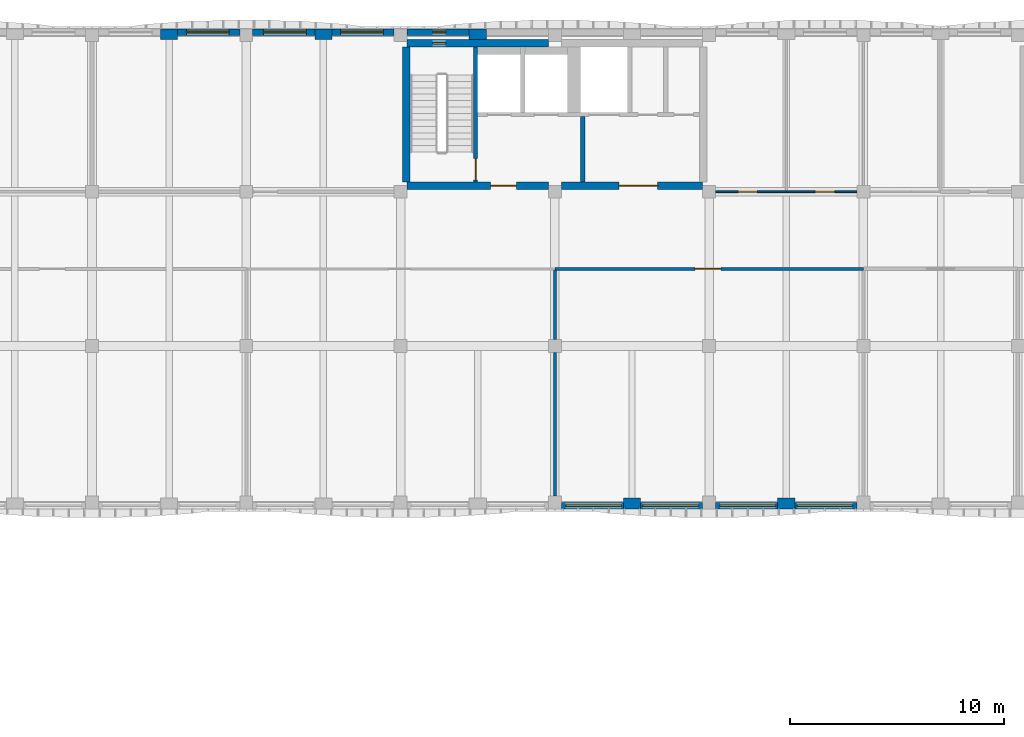
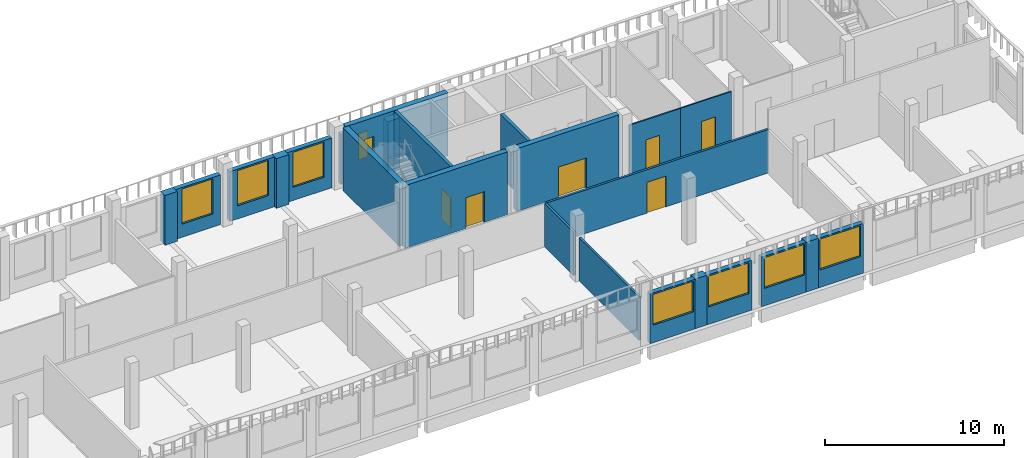
# One storey, part 15 of 38: 24 walls, 9 windows, 6 doors, 15 openings.
"""IFC4 building model written with IfcOpenShell, lengths in metres."""

import ifcopenshell
import ifcopenshell.guid

model = None  # the IFC model being written
_history = None  # IfcOwnerHistory: only IFC2X3 demands one
_inside = {}  # id of a spatial element -> (the spatial element, [elements in it])
_under = {}  # id of a project, library or spatial element -> (it, [spatial elements below it])
_declared = {}  # id of a project -> (the project, [libraries it declares])
_typed = {}  # id of a type object -> (the type object, [elements of that type])
_made_of = {}  # id of a material, layer set ... -> (it, [elements and type objects made of it])


def new_model(schema):
    """Start an empty IFC model of exactly this schema.

    Asked for "IFC4X3", IfcOpenShell would pick the latest addendum, in which some entities
    have other attributes; the version numbers below select the first issue.
    IFC2X3 requires an IfcOwnerHistory on every rooted entity: one is made here for all.
    """
    global model, _history
    if schema == "IFC4X3":
        model = ifcopenshell.file(schema_version=(4, 3, 0, 0))
    else:
        model = ifcopenshell.file(schema=schema)
    _inside.clear()
    _under.clear()
    _declared.clear()
    _typed.clear()
    _made_of.clear()
    _history = None
    if model.schema == "IFC2X3":
        org = make("IfcOrganization", Name="unknown")
        user = make(
            "IfcPersonAndOrganization",
            ThePerson=make("IfcPerson", FamilyName="unknown"),
            TheOrganization=org,
        )
        app = make(
            "IfcApplication",
            ApplicationDeveloper=org,
            Version="unknown",
            ApplicationFullName="unknown",
            ApplicationIdentifier="unknown",
        )
        _history = make(
            "IfcOwnerHistory",
            OwningUser=user,
            OwningApplication=app,
            ChangeAction="ADDED",
            CreationDate=0,
        )
    return model


def make(cls, **values):
    """One entity of the class cls with the attributes given. An attribute that is None is left unset."""
    return model.create_entity(
        cls, **{name: value for name, value in values.items() if value is not None}
    )


def rooted(cls, **values):
    """An entity with a GlobalId (a new one), such as an element, a storey or a relation."""
    return make(cls, GlobalId=ifcopenshell.guid.new(), OwnerHistory=_history, **values)


def si_unit(unit_type, name, prefix=None):
    """IfcSIUnit, for example si_unit("LENGTHUNIT", "METRE", prefix="MILLI")."""
    return make("IfcSIUnit", UnitType=unit_type, Prefix=prefix, Name=name)


def assignment(units):
    """IfcUnitAssignment: the units of a project."""
    return None if units is None else make("IfcUnitAssignment", Units=units)


def point(xyz):
    """IfcCartesianPoint."""
    return None if xyz is None else make("IfcCartesianPoint", Coordinates=xyz)


def direction(xyz):
    """IfcDirection."""
    return None if xyz is None else make("IfcDirection", DirectionRatios=xyz)


def frame(location, z_axis=None, x_axis=None):
    """IfcAxis2Placement3D, a coordinate frame: its origin and axes. An axis left out is left unset."""
    return make(
        "IfcAxis2Placement3D",
        Location=point(location),
        Axis=direction(z_axis),
        RefDirection=direction(x_axis),
    )


def frame_2d(location, x_axis=None):
    """IfcAxis2Placement2D, a coordinate frame in the plane: its origin and x axis."""
    return make(
        "IfcAxis2Placement2D", Location=point(location), RefDirection=direction(x_axis)
    )


def origin():
    """The frame at (0, 0, 0) with its axes left unset."""
    return frame((0.0, 0.0, 0.0))


def place(relative_to, where):
    """IfcLocalPlacement: puts the frame where relative to a parent placement (None: the world)."""
    return make(
        "IfcLocalPlacement", PlacementRelTo=relative_to, RelativePlacement=where
    )


def context(
    kind, dimensions, precision=None, world=None, true_north=None, identifier=None
):
    """IfcGeometricRepresentationContext, for example the 3D "Model" context."""
    return make(
        "IfcGeometricRepresentationContext",
        ContextIdentifier=identifier,
        ContextType=kind,
        CoordinateSpaceDimension=dimensions,
        Precision=precision,
        WorldCoordinateSystem=world,
        TrueNorth=true_north,
    )


def subcontext(parent, identifier, kind, view, scale=None):
    """IfcGeometricRepresentationSubContext, for example "Body" below "Model"."""
    return make(
        "IfcGeometricRepresentationSubContext",
        ContextIdentifier=identifier,
        ContextType=kind,
        ParentContext=parent,
        TargetScale=scale,
        TargetView=view,
    )


def project(units=None, contexts=None):
    """IfcProject with its units and contexts."""
    return rooted(
        "IfcProject",
        Name="project",
        RepresentationContexts=contexts,
        UnitsInContext=assignment(units),
    )


def spatial(cls, under=None, at=None, **own):
    """A site, building, storey or space (cls), placed at a placement, below another one or the project."""
    s = rooted(cls, ObjectPlacement=at, **own)
    if under is not None:
        _under.setdefault(under.id(), (under, []))[1].append(s)
    return s


def profile(cls, at=None, kind="AREA", **sizes):
    """A parametric profile (cls). Its sizes go by their IFC names, for example OverallWidth=200.0."""
    return make(cls, ProfileType=kind, Position=at, **sizes)


def rectangle(**sizes):
    """IfcRectangleProfileDef."""
    return profile("IfcRectangleProfileDef", **sizes)


def extrude(swept, where, along, depth):
    """IfcExtrudedAreaSolid: the profile swept, set in the frame where, extruded along a direction by depth."""
    return make(
        "IfcExtrudedAreaSolid",
        SweptArea=swept,
        Position=where,
        ExtrudedDirection=direction(along),
        Depth=depth,
    )


def shape(context_of_items, identifier, shape_type, items):
    """IfcShapeRepresentation: the items that make up one representation, for example the "Body"."""
    return make(
        "IfcShapeRepresentation",
        ContextOfItems=context_of_items,
        RepresentationIdentifier=identifier,
        RepresentationType=shape_type,
        Items=items,
    )


def material(Name=None, Category=None):
    """IfcMaterial."""
    return make("IfcMaterial", Name=Name, Category=Category)


def layer(
    of_material, thickness, ventilated=None, Name=None, Category=None, Priority=None
):
    """IfcMaterialLayer: one layer of a wall or slab, of a material (None: an air gap)."""
    return make(
        "IfcMaterialLayer",
        Material=of_material,
        LayerThickness=thickness,
        IsVentilated=ventilated,
        Name=Name,
        Category=Category,
        Priority=Priority,
    )


def layer_set(layers, Name=None):
    """IfcMaterialLayerSet."""
    return make("IfcMaterialLayerSet", MaterialLayers=layers, LayerSetName=Name)


def made_of(thing, what):
    """Note that an element or type object is made of a material, layer set ...; save() writes the relation."""
    if what is not None:
        _made_of.setdefault(what.id(), (what, []))[1].append(thing)
    return thing


def type_object(cls, material=None, **own):
    """A type object (cls), such as IfcWallType, which elements share."""
    return made_of(rooted(cls, **own), material)


def element(
    cls,
    number,
    at=None,
    inside=None,
    cuts=None,
    type_object=None,
    material=None,
    context=None,
    identifier="Body",
    shape_type=None,
    held_by="IfcProductDefinitionShape",
    body=None,
    shapes=None,
    **own,
):
    """One element of the class cls, such as IfcWall. Its Tag is "e" and its number.

    at: its placement. inside: the storey or other place that contains it. cuts: it is an
    opening in that element (IfcRelVoidsElement). A single representation is given by context,
    identifier, shape_type and body (its items); several are given by shapes. held_by: the class
    of the entity that holds the representations. save() writes the other relations.
    """
    e = rooted(cls, Tag="e%d" % number, ObjectPlacement=at, **own)
    if body is not None:
        shapes = [shape(context, identifier, shape_type, body)]
    if shapes is not None:
        e.Representation = make(held_by, Representations=shapes)
    if inside is not None:
        _inside.setdefault(inside.id(), (inside, []))[1].append(e)
    if cuts is not None:
        rooted(
            "IfcRelVoidsElement", RelatingBuildingElement=cuts, RelatedOpeningElement=e
        )
    if type_object is not None:
        _typed.setdefault(type_object.id(), (type_object, []))[1].append(e)
    return made_of(e, material)


def fill(opening, filler):
    """IfcRelFillsElement: the door or window that sits in an opening."""
    return rooted(
        "IfcRelFillsElement",
        RelatingOpeningElement=opening,
        RelatedBuildingElement=filler,
    )


def aggregate(whole, parts):
    """IfcRelAggregates: a whole, such as a stair, and the parts it consists of."""
    return rooted("IfcRelAggregates", RelatingObject=whole, RelatedObjects=parts)


def save(model, path):
    """Write the relations noted so far, then the file.

    IfcRelAggregates (storeys below a building ...), IfcRelContainedInSpatialStructure (elements
    in a storey), IfcRelDefinesByType, IfcRelAssociatesMaterial and IfcRelDeclares: one each for
    every whole, place, type object, material and project.
    """
    for whole, parts in _under.values():
        aggregate(whole, parts)
    for where, things in _inside.values():
        rooted(
            "IfcRelContainedInSpatialStructure",
            RelatedElements=things,
            RelatingStructure=where,
        )
    for kind, things in _typed.values():
        rooted("IfcRelDefinesByType", RelatedObjects=things, RelatingType=kind)
    for what, things in _made_of.values():
        rooted("IfcRelAssociatesMaterial", RelatedObjects=things, RelatingMaterial=what)
    for by, libraries in _declared.values():
        rooted("IfcRelDeclares", RelatingContext=by, RelatedDefinitions=libraries)
    model.write(path)


model = new_model("IFC4")

# Units and contexts
model_context = context("Model", 3, precision=1e-05, world=origin(), true_north=direction((0.0, 1.0)))
body_context = subcontext(model_context, "Body", "Model", "MODEL_VIEW")
ifc_project = project(units=[si_unit("LENGTHUNIT", "METRE"), si_unit("AREAUNIT", "SQUARE_METRE"), si_unit("VOLUMEUNIT", "CUBIC_METRE"), si_unit("PLANEANGLEUNIT", "RADIAN"), si_unit("MASSUNIT", "GRAM", prefix="KILO")], contexts=[model_context])

# Site, building, storey
site_placement = place(None, origin())
site = spatial("IfcSite", under=ifc_project, at=site_placement, CompositionType="ELEMENT")
building_placement = place(site_placement, origin())
building = spatial("IfcBuilding", under=site, at=building_placement, Name="Ussher Court Research Institute", CompositionType="ELEMENT")
storey_placement = place(building_placement, frame((0.0, 0.0, 23.39990234375)))
storey = spatial("IfcBuildingStorey", under=building, at=storey_placement, Name="L05", CompositionType="ELEMENT", Elevation=23.39990234375)

# Wall, opening, window
ifc_material_1 = material(Name="Blockwork with cream render", Category="masonry")
ifc_layer_1 = layer(ifc_material_1, 0.300048828125)
ifc_layer_set_1 = layer_set([ifc_layer_1], Name="Blockwork with cream render")
wall_type_1 = type_object("IfcWallType", Name="External wall 300 cream render", PredefinedType="SOLIDWALL", material=ifc_layer_set_1)
wall_1_placement = place(storey_placement, frame((67.5, 68.550048828125, 0.0), z_axis=(0.0, 0.0, 1.0), x_axis=(-1.0, 0.0, 0.0)))
wall_1 = element("IfcWall", 1, at=wall_1_placement, inside=storey, type_object=wall_type_1, Name="External wall EW1 L05", PredefinedType="SOLIDWALL", context=body_context, shape_type="SweptSolid", body=[
    extrude(rectangle(XDim=2.89990234375, YDim=0.300048828125, at=frame_2d((1.449951171875, 0.0))), origin(), (0.0, 0.0, 1.0), 3.400146484375),
])
opening_1_placement = place(wall_1_placement, frame((0.199951171875, 0.0, 1.199951171875)))
opening_1 = element("IfcOpeningElement", 2, at=opening_1_placement, cuts=wall_1, Name="Opening W08", PredefinedType="OPENING", context=body_context, shape_type="SweptSolid", body=[
    extrude(rectangle(XDim=2.60009765625, YDim=2.10009765625, at=frame_2d((1.300048828125, 1.050048828125))), frame((0.0, 0.16015625, 0.0), z_axis=(0.0, -1.0, 0.0), x_axis=(1.0, 0.0, 0.0)), (0.0, 0.0, 1.0), 0.320068359375),
])
ifc_material_2 = material(Name="Bronze anodised aluminium with double glazing", Category="aluminium")
window_type_1 = type_object("IfcWindowType", Name="Dry laboratory bay window 2600x2100", PartitioningType="DOUBLE_PANEL_VERTICAL", PredefinedType="WINDOW", material=ifc_material_2)
window_1_placement = place(opening_1_placement, origin())
window_1 = element("IfcWindow", 3, at=window_1_placement, inside=storey, type_object=window_type_1, Name="Window W08 L05", OverallHeight=2.10009765625, OverallWidth=2.60009765625, PartitioningType="SINGLE_PANEL", PredefinedType="WINDOW", context=body_context, shape_type="SweptSolid", body=[
    extrude(rectangle(XDim=2.60009765625, YDim=2.10009765625, at=frame_2d((1.300048828125, 1.050048828125))), frame((0.0, 0.030029296875, 0.0), z_axis=(0.0, -1.0, 0.0), x_axis=(1.0, 0.0, 0.0)), (0.0, 0.0, 1.0), 0.06005859375),
])
fill(opening_1, window_1)

wall_2_placement = place(storey_placement, frame((63.800048828125, 68.550048828125, 0.0), z_axis=(0.0, 0.0, 1.0), x_axis=(-1.0, 0.0, 0.0)))
wall_2 = element("IfcWall", 4, at=wall_2_placement, inside=storey, type_object=wall_type_1, Name="External wall EW1 L05", PredefinedType="SOLIDWALL", context=body_context, shape_type="SweptSolid", body=[
    extrude(rectangle(XDim=2.900146484375, YDim=0.300048828125, at=frame_2d((1.4501953125, 0.0))), origin(), (0.0, 0.0, 1.0), 3.400146484375),
])
opening_2_placement = place(wall_2_placement, frame((0.10009765625, 0.0, 1.199951171875)))
opening_2 = element("IfcOpeningElement", 5, at=opening_2_placement, cuts=wall_2, Name="Opening W08", PredefinedType="OPENING", context=body_context, shape_type="SweptSolid", body=[
    extrude(rectangle(XDim=2.60009765625, YDim=2.10009765625, at=frame_2d((1.300048828125, 1.050048828125))), frame((0.0, 0.16015625, 0.0), z_axis=(0.0, -1.0, 0.0), x_axis=(1.0, 0.0, 0.0)), (0.0, 0.0, 1.0), 0.320068359375),
])
window_2_placement = place(opening_2_placement, origin())
window_2 = element("IfcWindow", 6, at=window_2_placement, inside=storey, type_object=window_type_1, Name="Window W08 L05", OverallHeight=2.10009765625, OverallWidth=2.60009765625, PartitioningType="SINGLE_PANEL", PredefinedType="WINDOW", context=body_context, shape_type="SweptSolid", body=[
    extrude(rectangle(XDim=2.60009765625, YDim=2.10009765625, at=frame_2d((1.300048828125, 1.050048828125))), frame((0.0, 0.030029296875, 0.0), z_axis=(0.0, -1.0, 0.0), x_axis=(1.0, 0.0, 0.0)), (0.0, 0.0, 1.0), 0.06005859375),
])
fill(opening_2, window_2)

wall_3_placement = place(storey_placement, frame((60.300048828125, 68.550048828125, 0.0), z_axis=(0.0, 0.0, 1.0), x_axis=(-1.0, 0.0, 0.0)))
wall_3 = element("IfcWall", 7, at=wall_3_placement, inside=storey, type_object=wall_type_1, Name="External wall EW1 L05", PredefinedType="SOLIDWALL", context=body_context, shape_type="SweptSolid", body=[
    extrude(rectangle(XDim=2.900146484375, YDim=0.300048828125, at=frame_2d((1.4501953125, 0.0))), origin(), (0.0, 0.0, 1.0), 3.400146484375),
])
opening_3_placement = place(wall_3_placement, frame((0.199951171875, 0.0, 1.199951171875)))
opening_3 = element("IfcOpeningElement", 8, at=opening_3_placement, cuts=wall_3, Name="Opening W08", PredefinedType="OPENING", context=body_context, shape_type="SweptSolid", body=[
    extrude(rectangle(XDim=2.60009765625, YDim=2.10009765625, at=frame_2d((1.300048828125, 1.050048828125))), frame((0.0, 0.16015625, 0.0), z_axis=(0.0, -1.0, 0.0), x_axis=(1.0, 0.0, 0.0)), (0.0, 0.0, 1.0), 0.320068359375),
])
window_3_placement = place(opening_3_placement, origin())
window_3 = element("IfcWindow", 9, at=window_3_placement, inside=storey, type_object=window_type_1, Name="Window W08 L05", OverallHeight=2.10009765625, OverallWidth=2.60009765625, PartitioningType="SINGLE_PANEL", PredefinedType="WINDOW", context=body_context, shape_type="SweptSolid", body=[
    extrude(rectangle(XDim=2.60009765625, YDim=2.10009765625, at=frame_2d((1.300048828125, 1.050048828125))), frame((0.0, 0.030029296875, 0.0), z_axis=(0.0, -1.0, 0.0), x_axis=(1.0, 0.0, 0.0)), (0.0, 0.0, 1.0), 0.06005859375),
])
fill(opening_3, window_3)

wall_4_placement = place(storey_placement, frame((56.60009765625, 68.550048828125, 0.0), z_axis=(0.0, 0.0, 1.0), x_axis=(-1.0, 0.0, 0.0)))
wall_4 = element("IfcWall", 10, at=wall_4_placement, inside=storey, type_object=wall_type_1, Name="External wall EW1 L05", PredefinedType="SOLIDWALL", context=body_context, shape_type="SweptSolid", body=[
    extrude(rectangle(XDim=2.900146484375, YDim=0.300048828125, at=frame_2d((1.4501953125, 0.0))), origin(), (0.0, 0.0, 1.0), 3.400146484375),
])
opening_4_placement = place(wall_4_placement, frame((0.10009765625, 0.0, 1.199951171875)))
opening_4 = element("IfcOpeningElement", 11, at=opening_4_placement, cuts=wall_4, Name="Opening W08", PredefinedType="OPENING", context=body_context, shape_type="SweptSolid", body=[
    extrude(rectangle(XDim=2.60009765625, YDim=2.10009765625, at=frame_2d((1.300048828125, 1.050048828125))), frame((0.0, 0.16015625, 0.0), z_axis=(0.0, -1.0, 0.0), x_axis=(1.0, 0.0, 0.0)), (0.0, 0.0, 1.0), 0.320068359375),
])
window_4_placement = place(opening_4_placement, origin())
window_4 = element("IfcWindow", 12, at=window_4_placement, inside=storey, type_object=window_type_1, Name="Window W08 L05", OverallHeight=2.10009765625, OverallWidth=2.60009765625, PartitioningType="SINGLE_PANEL", PredefinedType="WINDOW", context=body_context, shape_type="SweptSolid", body=[
    extrude(rectangle(XDim=2.60009765625, YDim=2.10009765625, at=frame_2d((1.300048828125, 1.050048828125))), frame((0.0, 0.030029296875, 0.0), z_axis=(0.0, -1.0, 0.0), x_axis=(1.0, 0.0, 0.0)), (0.0, 0.0, 1.0), 0.06005859375),
])
fill(opening_4, window_4)

wall_5_placement = place(storey_placement, frame((35.800048828125, 90.64990234375, 0.0), z_axis=(0.0, 0.0, 1.0), x_axis=(1.0, 0.0, 0.0)))
wall_5 = element("IfcWall", 13, at=wall_5_placement, inside=storey, type_object=wall_type_1, Name="External wall EW1 L05", PredefinedType="SOLIDWALL", context=body_context, shape_type="SweptSolid", body=[
    extrude(rectangle(XDim=2.89990234375, YDim=0.300048828125, at=frame_2d((1.449951171875, 0.0))), origin(), (0.0, 0.0, 1.0), 3.400146484375),
])
opening_5_placement = place(wall_5_placement, frame((0.39990234375, 0.0, 0.89990234375)))
opening_5 = element("IfcOpeningElement", 14, at=opening_5_placement, cuts=wall_5, Name="Opening W14", PredefinedType="OPENING", context=body_context, shape_type="SweptSolid", body=[
    extrude(rectangle(XDim=2.0, YDim=2.39990234375, at=frame_2d((1.0, 1.199951171875))), frame((0.0, 0.16015625, 0.0), z_axis=(0.0, -1.0, 0.0), x_axis=(1.0, 0.0, 0.0)), (0.0, 0.0, 1.0), 0.320068359375),
])
ifc_material_3 = material(Name="Bronze anodised aluminium with double glazing", Category="aluminium")
window_type_2 = type_object("IfcWindowType", Name="Seminar and write-up office window 2000x2400", PartitioningType="DOUBLE_PANEL_VERTICAL", PredefinedType="WINDOW", material=ifc_material_3)
window_5_placement = place(opening_5_placement, origin())
window_5 = element("IfcWindow", 15, at=window_5_placement, inside=storey, type_object=window_type_2, Name="Window W14 L05", OverallHeight=2.39990234375, OverallWidth=2.0, PartitioningType="SINGLE_PANEL", PredefinedType="WINDOW", context=body_context, shape_type="SweptSolid", body=[
    extrude(rectangle(XDim=2.0, YDim=2.39990234375, at=frame_2d((1.0, 1.199951171875))), frame((0.0, 0.030029296875, 0.0), z_axis=(0.0, -1.0, 0.0), x_axis=(1.0, 0.0, 0.0)), (0.0, 0.0, 1.0), 0.06005859375),
])
fill(opening_5, window_5)

wall_6_placement = place(storey_placement, frame((39.300048828125, 90.64990234375, 0.0), z_axis=(0.0, 0.0, 1.0), x_axis=(1.0, 0.0, 0.0)))
wall_6 = element("IfcWall", 16, at=wall_6_placement, inside=storey, type_object=wall_type_1, Name="External wall EW1 L05", PredefinedType="SOLIDWALL", context=body_context, shape_type="SweptSolid", body=[
    extrude(rectangle(XDim=2.89990234375, YDim=0.300048828125, at=frame_2d((1.449951171875, 0.0))), origin(), (0.0, 0.0, 1.0), 3.400146484375),
])
opening_6_placement = place(wall_6_placement, frame((0.5, 0.0, 0.89990234375)))
opening_6 = element("IfcOpeningElement", 17, at=opening_6_placement, cuts=wall_6, Name="Opening W14", PredefinedType="OPENING", context=body_context, shape_type="SweptSolid", body=[
    extrude(rectangle(XDim=2.0, YDim=2.39990234375, at=frame_2d((1.0, 1.199951171875))), frame((0.0, 0.16015625, 0.0), z_axis=(0.0, -1.0, 0.0), x_axis=(1.0, 0.0, 0.0)), (0.0, 0.0, 1.0), 0.320068359375),
])
window_6_placement = place(opening_6_placement, origin())
window_6 = element("IfcWindow", 18, at=window_6_placement, inside=storey, type_object=window_type_2, Name="Window W14 L05", OverallHeight=2.39990234375, OverallWidth=2.0, PartitioningType="SINGLE_PANEL", PredefinedType="WINDOW", context=body_context, shape_type="SweptSolid", body=[
    extrude(rectangle(XDim=2.0, YDim=2.39990234375, at=frame_2d((1.0, 1.199951171875))), frame((0.0, 0.030029296875, 0.0), z_axis=(0.0, -1.0, 0.0), x_axis=(1.0, 0.0, 0.0)), (0.0, 0.0, 1.0), 0.06005859375),
])
fill(opening_6, window_6)

wall_7_placement = place(storey_placement, frame((43.0, 90.64990234375, 0.0), z_axis=(0.0, 0.0, 1.0), x_axis=(1.0, 0.0, 0.0)))
wall_7 = element("IfcWall", 19, at=wall_7_placement, inside=storey, type_object=wall_type_1, Name="External wall EW1 L05", PredefinedType="SOLIDWALL", context=body_context, shape_type="SweptSolid", body=[
    extrude(rectangle(XDim=2.89990234375, YDim=0.300048828125, at=frame_2d((1.449951171875, 0.0))), origin(), (0.0, 0.0, 1.0), 3.400146484375),
])
opening_7_placement = place(wall_7_placement, frame((0.39990234375, 0.0, 0.89990234375)))
opening_7 = element("IfcOpeningElement", 20, at=opening_7_placement, cuts=wall_7, Name="Opening W14", PredefinedType="OPENING", context=body_context, shape_type="SweptSolid", body=[
    extrude(rectangle(XDim=2.0, YDim=2.39990234375, at=frame_2d((1.0, 1.199951171875))), frame((0.0, 0.16015625, 0.0), z_axis=(0.0, -1.0, 0.0), x_axis=(1.0, 0.0, 0.0)), (0.0, 0.0, 1.0), 0.320068359375),
])
window_7_placement = place(opening_7_placement, origin())
window_7 = element("IfcWindow", 21, at=window_7_placement, inside=storey, type_object=window_type_2, Name="Window W14 L05", OverallHeight=2.39990234375, OverallWidth=2.0, PartitioningType="SINGLE_PANEL", PredefinedType="WINDOW", context=body_context, shape_type="SweptSolid", body=[
    extrude(rectangle(XDim=2.0, YDim=2.39990234375, at=frame_2d((1.0, 1.199951171875))), frame((0.0, 0.030029296875, 0.0), z_axis=(0.0, -1.0, 0.0), x_axis=(1.0, 0.0, 0.0)), (0.0, 0.0, 1.0), 0.06005859375),
])
fill(opening_7, window_7)

ifc_material_4 = material(Name="Limestone facing on blockwork", Category="masonry")
ifc_layer_2 = layer(ifc_material_4, 0.300048828125)
ifc_layer_set_2 = layer_set([ifc_layer_2], Name="Limestone facing on blockwork")
wall_type_2 = type_object("IfcWallType", Name="External wall 300 stair enclosure", PredefinedType="SOLIDWALL", material=ifc_layer_set_2)
wall_8_placement = place(storey_placement, frame((46.5, 90.64990234375, 0.0), z_axis=(0.0, 0.0, 1.0), x_axis=(1.0, 0.0, 0.0)))
wall_8 = element("IfcWall", 22, at=wall_8_placement, inside=storey, type_object=wall_type_2, Name="External wall EW5 L05", PredefinedType="SOLIDWALL", context=body_context, shape_type="SweptSolid", body=[
    extrude(rectangle(XDim=2.89990234375, YDim=0.300048828125, at=frame_2d((1.449951171875, 0.0))), origin(), (0.0, 0.0, 1.0), 3.400146484375),
])
opening_8_placement = place(wall_8_placement, frame((1.199951171875, 0.0, 1.199951171875)))
opening_8 = element("IfcOpeningElement", 23, at=opening_8_placement, cuts=wall_8, Name="Opening W25", PredefinedType="OPENING", context=body_context, shape_type="SweptSolid", body=[
    extrude(rectangle(XDim=0.60009765625, YDim=1.800048828125, at=frame_2d((0.300048828125, 0.89990234375))), frame((0.0, 0.16015625, 0.0), z_axis=(0.0, -1.0, 0.0), x_axis=(1.0, 0.0, 0.0)), (0.0, 0.0, 1.0), 0.320068359375),
])
ifc_material_5 = material(Name="Bronze anodised aluminium with double glazing", Category="aluminium")
window_type_3 = type_object("IfcWindowType", Name="Stair light slot window 600x1800 fire-resisting glazing", PartitioningType="SINGLE_PANEL", PredefinedType="WINDOW", material=ifc_material_5)
window_8_placement = place(opening_8_placement, origin())
window_8 = element("IfcWindow", 24, at=window_8_placement, inside=storey, type_object=window_type_3, Name="Window W25 L05", OverallHeight=1.800048828125, OverallWidth=0.60009765625, PartitioningType="SINGLE_PANEL", PredefinedType="WINDOW", context=body_context, shape_type="SweptSolid", body=[
    extrude(rectangle(XDim=0.60009765625, YDim=1.800048828125, at=frame_2d((0.300048828125, 0.89990234375))), frame((0.0, 0.030029296875, 0.0), z_axis=(0.0, -1.0, 0.0), x_axis=(1.0, 0.0, 0.0)), (0.0, 0.0, 1.0), 0.06005859375),
])
fill(opening_8, window_8)

# Wall, opening, door
ifc_material_6 = material(Name="Plastered blockwork", Category="masonry")
ifc_layer_3 = layer(ifc_material_6, 0.139892578125)
ifc_layer_set_3 = layer_set([ifc_layer_3], Name="Plastered blockwork")
wall_type_3 = type_object("IfcWallType", Name="Laboratory blockwork partition 140", PredefinedType="PARTITIONING", material=ifc_layer_set_3)
wall_9_placement = place(storey_placement, frame((67.800048828125, 79.60009765625, 0.0), z_axis=(0.0, 0.0, 1.0), x_axis=(-1.0, 0.0, 0.0)))
wall_9 = element("IfcWall", 25, at=wall_9_placement, inside=storey, type_object=wall_type_3, Name="Partition", PredefinedType="PARTITIONING", context=body_context, shape_type="SweptSolid", body=[
    extrude(rectangle(XDim=14.400146484375, YDim=0.139892578125, at=frame_2d((7.2001953125, 0.0))), origin(), (0.0, 0.0, 1.0), 2.97021484375),
])
opening_9_placement = place(wall_9_placement, frame((6.64990234375, 0.0, 0.0)))
opening_9 = element("IfcOpeningElement", 26, at=opening_9_placement, cuts=wall_9, Name="Opening D05015", PredefinedType="OPENING", context=body_context, shape_type="SweptSolid", body=[
    extrude(rectangle(XDim=1.199951171875, YDim=2.10009765625, at=frame_2d((0.60009765625, 1.050048828125))), frame((0.0, 0.080078125, 0.0), z_axis=(0.0, -1.0, 0.0), x_axis=(1.0, 0.0, 0.0)), (0.0, 0.0, 1.0), 0.159912109375),
])
ifc_material_7 = material(Name="Veneered timber door", Category="wood")
door_type_1 = type_object("IfcDoorType", Name="Laboratory door 1200x2100", OperationType="NOTDEFINED", PredefinedType="DOOR", material=ifc_material_7)
door_1_placement = place(opening_9_placement, origin())
door_1 = element("IfcDoor", 27, at=door_1_placement, inside=storey, type_object=door_type_1, Name="Door D05015", OperationType="SINGLE_SWING_RIGHT", OverallHeight=2.10009765625, OverallWidth=1.199951171875, PredefinedType="DOOR", context=body_context, shape_type="SweptSolid", body=[
    extrude(rectangle(XDim=1.199951171875, YDim=2.10009765625, at=frame_2d((0.60009765625, 1.050048828125))), frame((0.0, 0.02490234375, 0.0), z_axis=(0.0, -1.0, 0.0), x_axis=(1.0, 0.0, 0.0)), (0.0, 0.0, 1.0), 0.050048828125),
])
fill(opening_9, door_1)

# Walls
wall_10_placement = place(storey_placement, frame((53.39990234375, 69.0, 0.0), z_axis=(0.0, 0.0, 1.0), x_axis=(0.0, 1.0, 0.0)))
element("IfcWall", 28, at=wall_10_placement, inside=storey, type_object=wall_type_3, Name="Partition", PredefinedType="PARTITIONING", context=body_context, shape_type="SweptSolid", body=[
    extrude(rectangle(XDim=6.699951171875, YDim=0.139892578125, at=frame_2d((3.35009765625, 0.0))), origin(), (0.0, 0.0, 1.0), 2.97021484375),
])
wall_11_placement = place(storey_placement, frame((53.39990234375, 76.300048828125, 0.0), z_axis=(0.0, 0.0, 1.0), x_axis=(0.0, 1.0, 0.0)))
element("IfcWall", 29, at=wall_11_placement, inside=storey, type_object=wall_type_3, Name="Partition", PredefinedType="PARTITIONING", context=body_context, shape_type="SweptSolid", body=[
    extrude(rectangle(XDim=3.25, YDim=0.139892578125, at=frame_2d((1.625, 0.0))), origin(), (0.0, 0.0, 1.0), 2.97021484375),
])
ifc_material_8 = material(Name="Blockwork with cream render", Category="masonry")
ifc_layer_4 = layer(ifc_material_8, 0.5)
ifc_layer_set_4 = layer_set([ifc_layer_4], Name="Blockwork with cream render")
wall_type_4 = type_object("IfcWallType", Name="Pier 800x500 cream render", PredefinedType="SOLIDWALL", material=ifc_layer_set_4)
wall_12_placement = place(storey_placement, frame((64.60009765625, 68.64990234375, 0.0), z_axis=(0.0, 0.0, 1.0), x_axis=(-1.0, 0.0, 0.0)))
element("IfcWall", 30, at=wall_12_placement, inside=storey, type_object=wall_type_4, Name="Pier PR1 L05", PredefinedType="SOLIDWALL", context=body_context, shape_type="SweptSolid", body=[
    extrude(rectangle(XDim=0.800048828125, YDim=0.5, at=frame_2d((0.39990234375, 0.0))), origin(), (0.0, 0.0, 1.0), 3.400146484375),
])
wall_13_placement = place(storey_placement, frame((57.39990234375, 68.64990234375, 0.0), z_axis=(0.0, 0.0, 1.0), x_axis=(-1.0, 0.0, 0.0)))
element("IfcWall", 31, at=wall_13_placement, inside=storey, type_object=wall_type_4, Name="Pier PR1 L05", PredefinedType="SOLIDWALL", context=body_context, shape_type="SweptSolid", body=[
    extrude(rectangle(XDim=0.7998046875, YDim=0.5, at=frame_2d((0.39990234375, 0.0))), origin(), (0.0, 0.0, 1.0), 3.400146484375),
])
for number, where, z_axis, x_axis, name in (
    (32, (35.0, 90.550048828125, 0.0), (0.0, 0.0, 1.0), (1.0, 0.0, 0.0), "Pier PR1 L05"),
    (33, (42.199951171875, 90.550048828125, 0.0), (0.0, 0.0, 1.0), (1.0, 0.0, 0.0), "Pier PR1 L05"),
    (34, (49.39990234375, 90.550048828125, 0.0), (0.0, 0.0, 1.0), (1.0, 0.0, 0.0), "Pier PR1 L05"),
):
    element("IfcWall", number, at=place(storey_placement, frame(where, z_axis=z_axis, x_axis=x_axis)), inside=storey, type_object=wall_type_4, Name=name, PredefinedType="SOLIDWALL", context=body_context, shape_type="SweptSolid", body=[
        extrude(rectangle(XDim=0.800048828125, YDim=0.5, at=frame_2d((0.39990234375, 0.0))), origin(), (0.0, 0.0, 1.0), 3.400146484375),
    ])

# Wall, opening, door
ifc_material_9 = material(Name="Concrete C35/45", Category="concrete")
ifc_layer_5 = layer(ifc_material_9, 0.199951171875)
ifc_layer_set_5 = layer_set([ifc_layer_5], Name="Concrete C35/45")
wall_type_5 = type_object("IfcWallType", Name="RC core wall 200", PredefinedType="SHEAR", material=ifc_layer_set_5)
wall_14_placement = place(storey_placement, frame((49.699951171875, 83.64990234375, 0.0), z_axis=(0.0, 0.0, 1.0), x_axis=(0.0, 1.0, 0.0)))
wall_14 = element("IfcWall", 35, at=wall_14_placement, inside=storey, type_object=wall_type_5, Name="Core wall D2", PredefinedType="SHEAR", context=body_context, shape_type="SweptSolid", body=[
    extrude(rectangle(XDim=6.300048828125, YDim=0.199951171875, at=frame_2d((3.14990234375, 0.0))), origin(), (0.0, 0.0, 1.0), 4.300048828125),
])
opening_10_placement = place(wall_14_placement, frame((0.10009765625, 0.0, 0.0)))
opening_10 = element("IfcOpeningElement", 36, at=opening_10_placement, cuts=wall_14, Name="Opening D05010", PredefinedType="OPENING", context=body_context, shape_type="SweptSolid", body=[
    extrude(rectangle(XDim=1.0, YDim=2.10009765625, at=frame_2d((0.5, 1.050048828125))), frame((0.0, 0.10986328125, 0.0), z_axis=(0.0, -1.0, 0.0), x_axis=(1.0, 0.0, 0.0)), (0.0, 0.0, 1.0), 0.219970703125),
])
ifc_material_10 = material(Name="Painted steel faced fire door", Category="steel")
door_type_2 = type_object("IfcDoorType", Name="Fire door 1000x2100 FD60", OperationType="NOTDEFINED", PredefinedType="DOOR", material=ifc_material_10)
door_2_placement = place(opening_10_placement, origin())
door_2 = element("IfcDoor", 37, at=door_2_placement, inside=storey, type_object=door_type_2, Name="Door D05010", OperationType="SINGLE_SWING_LEFT", OverallHeight=2.10009765625, OverallWidth=1.0, PredefinedType="DOOR", context=body_context, shape_type="SweptSolid", body=[
    extrude(rectangle(XDim=1.0, YDim=2.10009765625, at=frame_2d((0.5, 1.050048828125))), frame((0.0, 0.02490234375, 0.0), z_axis=(0.0, -1.0, 0.0), x_axis=(1.0, 0.0, 0.0)), (0.0, 0.0, 1.0), 0.050048828125),
])
fill(opening_10, door_2)

# Wall
wall_15_placement = place(storey_placement, frame((54.699951171875, 83.64990234375, 0.0), z_axis=(0.0, 0.0, 1.0), x_axis=(0.0, 1.0, 0.0)))
element("IfcWall", 38, at=wall_15_placement, inside=storey, type_object=wall_type_5, Name="Core wall D2", PredefinedType="SHEAR", context=body_context, shape_type="SweptSolid", body=[
    extrude(rectangle(XDim=3.050048828125, YDim=0.199951171875, at=frame_2d((1.52490234375, 0.0))), origin(), (0.0, 0.0, 1.0), 4.300048828125),
])

# Wall, opening, door
ifc_material_11 = material(Name="Concrete C35/45", Category="concrete")
ifc_layer_6 = layer(ifc_material_11, 0.35009765625)
ifc_layer_set_6 = layer_set([ifc_layer_6], Name="Concrete C35/45")
wall_type_6 = type_object("IfcWallType", Name="RC core wall 350", PredefinedType="SHEAR", material=ifc_layer_set_6)
wall_16_placement = place(storey_placement, frame((46.5, 83.47509765625, 0.0), z_axis=(0.0, 0.0, 1.0), x_axis=(1.0, 0.0, 0.0)))
wall_16 = element("IfcWall", 39, at=wall_16_placement, inside=storey, type_object=wall_type_6, Name="Core wall D2", PredefinedType="SHEAR", context=body_context, shape_type="SweptSolid", body=[
    extrude(rectangle(XDim=6.60009765625, YDim=0.35009765625, at=frame_2d((3.300048828125, 0.0))), origin(), (0.0, 0.0, 1.0), 4.300048828125),
])
opening_11_placement = place(wall_16_placement, frame((3.89990234375, 0.0, 0.0)))
opening_11 = element("IfcOpeningElement", 40, at=opening_11_placement, cuts=wall_16, Name="Opening D05011", PredefinedType="OPENING", context=body_context, shape_type="SweptSolid", body=[
    extrude(rectangle(XDim=1.199951171875, YDim=2.10009765625, at=frame_2d((0.60009765625, 1.050048828125))), frame((0.0, 0.18505859375, 0.0), z_axis=(0.0, -1.0, 0.0), x_axis=(1.0, 0.0, 0.0)), (0.0, 0.0, 1.0), 0.3701171875),
])
ifc_material_12 = material(Name="Painted steel faced fire door", Category="steel")
door_type_3 = type_object("IfcDoorType", Name="Fire door 1200x2100 FD60", OperationType="NOTDEFINED", PredefinedType="DOOR", material=ifc_material_12)
door_3_placement = place(opening_11_placement, origin())
door_3 = element("IfcDoor", 41, at=door_3_placement, inside=storey, type_object=door_type_3, Name="Door D05011", OperationType="SINGLE_SWING_RIGHT", OverallHeight=2.10009765625, OverallWidth=1.199951171875, PredefinedType="DOOR", context=body_context, shape_type="SweptSolid", body=[
    extrude(rectangle(XDim=1.199951171875, YDim=2.10009765625, at=frame_2d((0.60009765625, 1.050048828125))), frame((0.0, 0.02490234375, 0.0), z_axis=(0.0, -1.0, 0.0), x_axis=(1.0, 0.0, 0.0)), (0.0, 0.0, 1.0), 0.050048828125),
])
fill(opening_11, door_3)

wall_17_placement = place(storey_placement, frame((53.699951171875, 83.47509765625, 0.0), z_axis=(0.0, 0.0, 1.0), x_axis=(1.0, 0.0, 0.0)))
wall_17 = element("IfcWall", 42, at=wall_17_placement, inside=storey, type_object=wall_type_6, Name="Core wall D2", PredefinedType="SHEAR", context=body_context, shape_type="SweptSolid", body=[
    extrude(rectangle(XDim=6.60009765625, YDim=0.35009765625, at=frame_2d((3.300048828125, 0.0))), origin(), (0.0, 0.0, 1.0), 4.300048828125),
])
opening_12_placement = place(wall_17_placement, frame((2.699951171875, 0.0, 0.0)))
opening_12 = element("IfcOpeningElement", 43, at=opening_12_placement, cuts=wall_17, Name="Opening D05012", PredefinedType="OPENING", context=body_context, shape_type="SweptSolid", body=[
    extrude(rectangle(XDim=1.800048828125, YDim=2.10009765625, at=frame_2d((0.89990234375, 1.050048828125))), frame((0.0, 0.18505859375, 0.0), z_axis=(0.0, -1.0, 0.0), x_axis=(1.0, 0.0, 0.0)), (0.0, 0.0, 1.0), 0.3701171875),
])
ifc_material_13 = material(Name="Painted steel faced fire door", Category="steel")
door_type_4 = type_object("IfcDoorType", Name="Fire door 1800x2100 FD60 double leaf", OperationType="DOUBLE_DOOR_SINGLE_SWING", PredefinedType="DOOR", material=ifc_material_13)
door_4_placement = place(opening_12_placement, origin())
door_4 = element("IfcDoor", 44, at=door_4_placement, inside=storey, type_object=door_type_4, Name="Door D05012", OperationType="SINGLE_SWING_LEFT", OverallHeight=2.10009765625, OverallWidth=1.800048828125, PredefinedType="DOOR", context=body_context, shape_type="SweptSolid", body=[
    extrude(rectangle(XDim=1.800048828125, YDim=2.10009765625, at=frame_2d((0.89990234375, 1.050048828125))), frame((0.0, 0.02490234375, 0.0), z_axis=(0.0, -1.0, 0.0), x_axis=(1.0, 0.0, 0.0)), (0.0, 0.0, 1.0), 0.050048828125),
])
fill(opening_12, door_4)

# Wall, opening, window
wall_18_placement = place(storey_placement, frame((46.5, 90.125, 0.0), z_axis=(0.0, 0.0, 1.0), x_axis=(1.0, 0.0, 0.0)))
wall_18 = element("IfcWall", 45, at=wall_18_placement, inside=storey, type_object=wall_type_6, Name="Core wall D2", PredefinedType="SHEAR", context=body_context, shape_type="SweptSolid", body=[
    extrude(rectangle(XDim=6.60009765625, YDim=0.35009765625, at=frame_2d((3.300048828125, 0.0))), origin(), (0.0, 0.0, 1.0), 4.300048828125),
])
opening_13_placement = place(wall_18_placement, frame((1.199951171875, 0.0, 1.199951171875)))
opening_13 = element("IfcOpeningElement", 46, at=opening_13_placement, cuts=wall_18, Name="Opening W25", PredefinedType="OPENING", context=body_context, shape_type="SweptSolid", body=[
    extrude(rectangle(XDim=0.60009765625, YDim=1.800048828125, at=frame_2d((0.300048828125, 0.89990234375))), frame((0.0, 0.18505859375, 0.0), z_axis=(0.0, -1.0, 0.0), x_axis=(1.0, 0.0, 0.0)), (0.0, 0.0, 1.0), 0.3701171875),
])
window_9_placement = place(opening_13_placement, origin())
window_9 = element("IfcWindow", 47, at=window_9_placement, inside=storey, type_object=window_type_3, Name="Window stair light D2 L05", OverallHeight=1.800048828125, OverallWidth=0.60009765625, PartitioningType="SINGLE_PANEL", PredefinedType="WINDOW", context=body_context, shape_type="SweptSolid", body=[
    extrude(rectangle(XDim=0.60009765625, YDim=1.800048828125, at=frame_2d((0.300048828125, 0.89990234375))), frame((0.0, 0.030029296875, 0.0), z_axis=(0.0, -1.0, 0.0), x_axis=(1.0, 0.0, 0.0)), (0.0, 0.0, 1.0), 0.06005859375),
])
fill(opening_13, window_9)

# Wall
wall_19_placement = place(storey_placement, frame((46.47509765625, 83.64990234375, 0.0), z_axis=(0.0, 0.0, 1.0), x_axis=(0.0, 1.0, 0.0)))
element("IfcWall", 48, at=wall_19_placement, inside=storey, type_object=wall_type_6, Name="Core wall D2", PredefinedType="SHEAR", context=body_context, shape_type="SweptSolid", body=[
    extrude(rectangle(XDim=6.300048828125, YDim=0.35009765625, at=frame_2d((3.14990234375, 0.0))), origin(), (0.0, 0.0, 1.0), 4.300048828125),
])

# Wall, opening, door
ifc_material_14 = material(Name="Moisture-resistant board on steel studs", Category="steel")
ifc_layer_7 = layer(ifc_material_14, 0.090087890625)
ifc_layer_set_7 = layer_set([ifc_layer_7], Name="Moisture-resistant board on steel studs")
wall_type_7 = type_object("IfcWallType", Name="WC lining partition 90", PredefinedType="PARTITIONING", material=ifc_layer_set_7)
wall_20_placement = place(storey_placement, frame((60.89990234375, 83.199951171875, 0.0), z_axis=(0.0, 0.0, 1.0), x_axis=(1.0, 0.0, 0.0)))
wall_20 = element("IfcWall", 49, at=wall_20_placement, inside=storey, type_object=wall_type_7, Name="Partition", PredefinedType="PARTITIONING", context=body_context, shape_type="SweptSolid", body=[
    extrude(rectangle(XDim=3.300048828125, YDim=0.090087890625, at=frame_2d((1.64990234375, 0.0))), origin(), (0.0, 0.0, 1.0), 3.47021484375),
])
opening_14_placement = place(wall_20_placement, frame((1.050048828125, 0.0, 0.0)))
opening_14 = element("IfcOpeningElement", 50, at=opening_14_placement, cuts=wall_20, Name="Opening D05016", PredefinedType="OPENING", context=body_context, shape_type="SweptSolid", body=[
    extrude(rectangle(XDim=0.89990234375, YDim=2.10009765625, at=frame_2d((0.449951171875, 1.050048828125))), frame((0.0, 0.05517578125, 0.0), z_axis=(0.0, -1.0, 0.0), x_axis=(1.0, 0.0, 0.0)), (0.0, 0.0, 1.0), 0.110107421875),
])
ifc_material_15 = material(Name="Veneered timber door", Category="wood")
door_type_5 = type_object("IfcDoorType", Name="WC door 900x2100", OperationType="NOTDEFINED", PredefinedType="DOOR", material=ifc_material_15)
door_5_placement = place(opening_14_placement, origin())
door_5 = element("IfcDoor", 51, at=door_5_placement, inside=storey, type_object=door_type_5, Name="Door D05016", OperationType="SINGLE_SWING_LEFT", OverallHeight=2.10009765625, OverallWidth=0.89990234375, PredefinedType="DOOR", context=body_context, shape_type="SweptSolid", body=[
    extrude(rectangle(XDim=0.89990234375, YDim=2.10009765625, at=frame_2d((0.449951171875, 1.050048828125))), frame((0.0, 0.02490234375, 0.0), z_axis=(0.0, -1.0, 0.0), x_axis=(1.0, 0.0, 0.0)), (0.0, 0.0, 1.0), 0.050048828125),
])
fill(opening_14, door_5)

wall_21_placement = place(storey_placement, frame((64.199951171875, 83.199951171875, 0.0), z_axis=(0.0, 0.0, 1.0), x_axis=(1.0, 0.0, 0.0)))
wall_21 = element("IfcWall", 52, at=wall_21_placement, inside=storey, type_object=wall_type_7, Name="Partition", PredefinedType="PARTITIONING", context=body_context, shape_type="SweptSolid", body=[
    extrude(rectangle(XDim=3.300048828125, YDim=0.090087890625, at=frame_2d((1.64990234375, 0.0))), origin(), (0.0, 0.0, 1.0), 3.47021484375),
])
opening_15_placement = place(wall_21_placement, frame((1.35009765625, 0.0, 0.0)))
opening_15 = element("IfcOpeningElement", 53, at=opening_15_placement, cuts=wall_21, Name="Opening D05017", PredefinedType="OPENING", context=body_context, shape_type="SweptSolid", body=[
    extrude(rectangle(XDim=0.89990234375, YDim=2.10009765625, at=frame_2d((0.449951171875, 1.050048828125))), frame((0.0, 0.05517578125, 0.0), z_axis=(0.0, -1.0, 0.0), x_axis=(1.0, 0.0, 0.0)), (0.0, 0.0, 1.0), 0.110107421875),
])
door_6_placement = place(opening_15_placement, origin())
door_6 = element("IfcDoor", 54, at=door_6_placement, inside=storey, type_object=door_type_5, Name="Door D05017", OperationType="SINGLE_SWING_RIGHT", OverallHeight=2.10009765625, OverallWidth=0.89990234375, PredefinedType="DOOR", context=body_context, shape_type="SweptSolid", body=[
    extrude(rectangle(XDim=0.89990234375, YDim=2.10009765625, at=frame_2d((0.449951171875, 1.050048828125))), frame((0.0, 0.02490234375, 0.0), z_axis=(0.0, -1.0, 0.0), x_axis=(1.0, 0.0, 0.0)), (0.0, 0.0, 1.0), 0.050048828125),
])
fill(opening_15, door_6)

save(model, "model.ifc")
